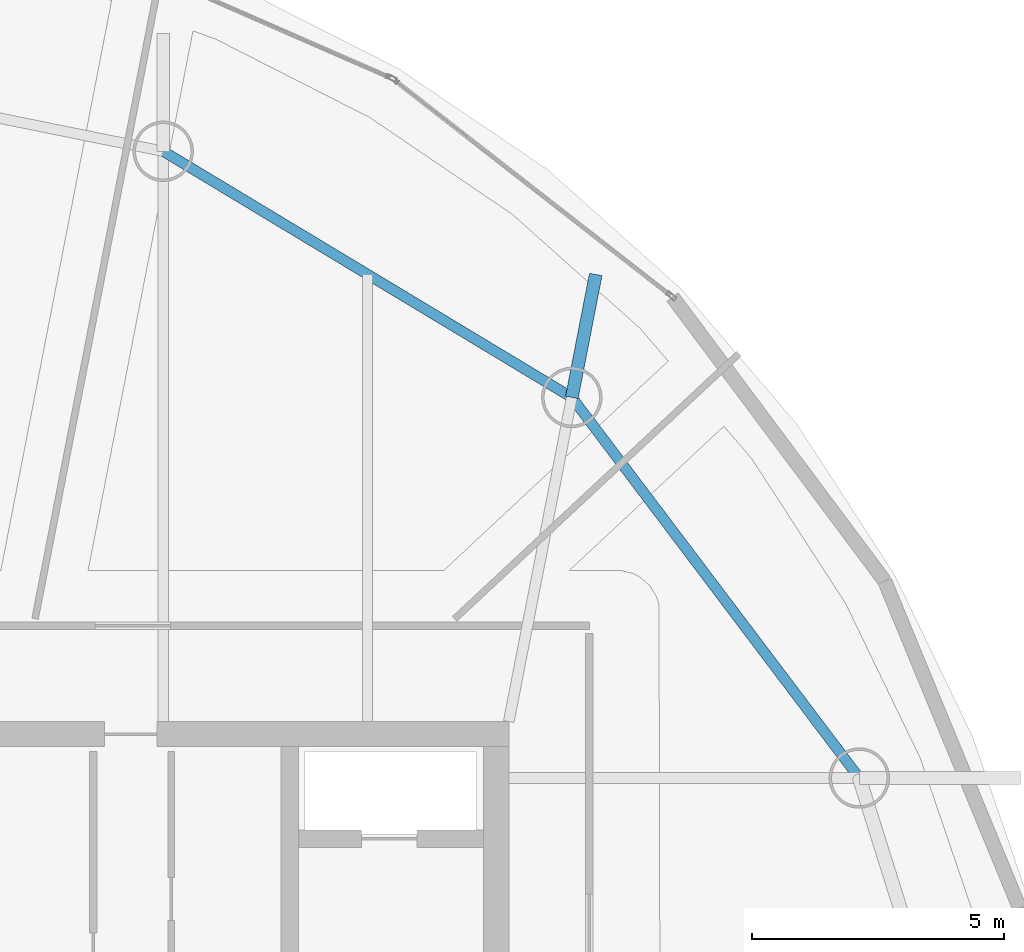
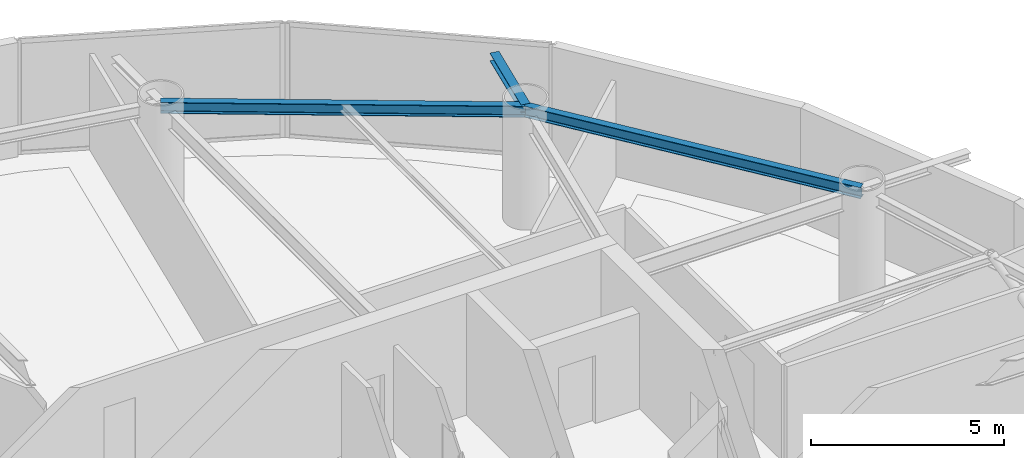
# One storey, part 13 of 22: 3 beams.
"""IFC4 building model written with IfcOpenShell, lengths in metres."""

from ifc_helpers import new_model, si_unit, direction, frame, origin, origin_2d, place, context, subcontext, project, spatial, i_section, extrude, material, material_profile, profile_set, type_object, element, save


model = new_model("IFC4")

# Units and contexts
model_context = context("Model", 3, precision=1e-05, world=origin(), true_north=direction((0.0, 1.0)))
body_context = subcontext(model_context, "Body", "Model", "MODEL_VIEW")
ifc_project = project(units=[si_unit("LENGTHUNIT", "METRE"), si_unit("AREAUNIT", "SQUARE_METRE"), si_unit("VOLUMEUNIT", "CUBIC_METRE"), si_unit("PLANEANGLEUNIT", "RADIAN"), si_unit("MASSUNIT", "GRAM", prefix="KILO")], contexts=[model_context])

# Site, building, storey
site_placement = place(None, origin())
site = spatial("IfcSite", under=ifc_project, at=site_placement, CompositionType="ELEMENT")
building_placement = place(site_placement, origin())
building = spatial("IfcBuilding", under=site, at=building_placement, Name="Bramvorn Convention Spire", CompositionType="ELEMENT")
storey_placement = place(building_placement, frame((0.0, 0.0, 213.550048828125)))
storey = spatial("IfcBuildingStorey", under=building, at=storey_placement, Name="L54", CompositionType="ELEMENT", Elevation=213.550048828125)

# Beams
ifc_material = material(Name="Steel CSA G40.21 Grade 350 (350W)", Category="steel")
ifc_material_profile_1 = material_profile(ifc_material, i_section(OverallWidth=0.25390625, OverallDepth=0.2529296875, WebThickness=0.008544921875, FlangeThickness=0.01416015625, FilletRadius=0.011962890625, at=origin_2d()))
ifc_profile_set_1 = profile_set([ifc_material_profile_1], Name="Steel CSA G40.21 Grade 350 (350W) - W250X73")
beam_type_1 = type_object("IfcBeamType", Name="BM-W250X73", PredefinedType="BEAM", material=ifc_profile_set_1)
beam_placement = place(storey_placement, frame((50.501953125, 39.885009765625, 3.493408203125), z_axis=(0.191016785503, 0.981586770314, 0.0), x_axis=(-0.981586770314, 0.191016785503, 0.0)))
element("IfcBeam", 1, at=beam_placement, inside=storey, type_object=beam_type_1, Name="L54 slab-edge cantilever tip beam MC05", PredefinedType="BEAM", context=body_context, shape_type="SweptSolid", body=[
    extrude(i_section(OverallWidth=0.25390625, OverallDepth=0.2529296875, WebThickness=0.008544921875, FlangeThickness=0.01416015625, FilletRadius=0.011962890625, at=origin_2d()), origin(), (0.0, 0.0, 1.0), 2.4873046875),
])
ifc_material_profile_2 = material_profile(ifc_material, i_section(OverallWidth=0.205078125, OverallDepth=0.35400390625, WebThickness=0.009521484375, FlangeThickness=0.016845703125, FilletRadius=0.014892578125, at=origin_2d()))
ifc_profile_set_2 = profile_set([ifc_material_profile_2], Name="Steel CSA G40.21 Grade 350 (350W) - W360X79")
beam_type_2 = type_object("IfcBeamType", Name="BM-W360X79", PredefinedType="JOIST", material=ifc_profile_set_2)
for number, where, z_axis, x_axis, name in (
    (2, (56.21044921875, 32.327392578125, 3.44287109375), (-0.602718581414, 0.797953827999, 0.0), (-0.797953827999, -0.602718581414, 0.0), "L54 mega-column ring beam 04"),
    (3, (50.501953125, 39.885009765625, 3.44287109375), (-0.856581795745, 0.516011266543, 0.0), (-0.516011266543, -0.856581795745, 0.0), "L54 mega-column ring beam 05"),
):
    element("IfcBeam", number, at=place(storey_placement, frame(where, z_axis=z_axis, x_axis=x_axis)), inside=storey, type_object=beam_type_2, Name=name, PredefinedType="JOIST", context=body_context, shape_type="SweptSolid", body=[
        extrude(i_section(OverallWidth=0.205078125, OverallDepth=0.35400390625, WebThickness=0.009521484375, FlangeThickness=0.016845703125, FilletRadius=0.014892578125, at=origin_2d()), origin(), (0.0, 0.0, 1.0), 9.47119140625),
    ])

save(model, "model.ifc")
